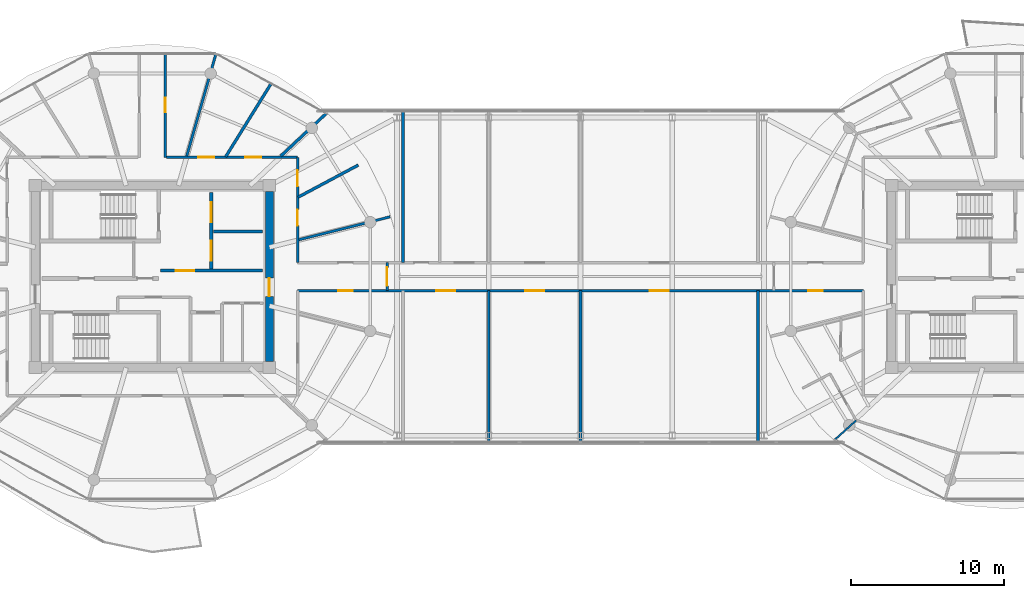
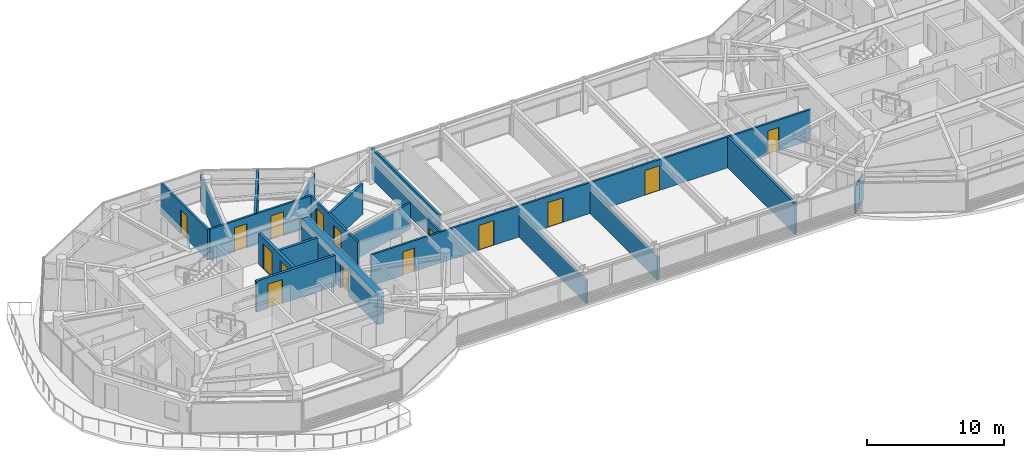
# One storey, part 15 of 23: 19 walls, 15 doors, 15 openings.
"""IFC4 building model written with IfcOpenShell, lengths in metres."""

from ifc_helpers import new_model, si_unit, direction, frame, frame_2d, origin, place, context, subcontext, project, spatial, rectangle, extrude, source, transform, mapped, material, layer, layer_set, type_object, type_shapes, element, fill, save


model = new_model("IFC4")

# Units and contexts
model_context = context("Model", 3, precision=1e-05, world=origin(), true_north=direction((0.0, 1.0)))
body_context = subcontext(model_context, "Body", "Model", "MODEL_VIEW")
ifc_project = project(units=[si_unit("LENGTHUNIT", "METRE"), si_unit("AREAUNIT", "SQUARE_METRE"), si_unit("VOLUMEUNIT", "CUBIC_METRE"), si_unit("PLANEANGLEUNIT", "RADIAN"), si_unit("MASSUNIT", "GRAM", prefix="KILO")], contexts=[model_context])

# Site, building, storey
site_placement = place(None, origin())
site = spatial("IfcSite", under=ifc_project, at=site_placement, CompositionType="ELEMENT")
building_placement = place(site_placement, origin())
building = spatial("IfcBuilding", under=site, at=building_placement, Name="Norrkilde Senior Care Towers", CompositionType="ELEMENT")
storey_placement = place(building_placement, frame((0.0, 0.0, 220.0)))
storey = spatial("IfcBuildingStorey", under=building, at=storey_placement, Name="L68", CompositionType="ELEMENT", Elevation=220.0)

# Wall, opening, door
ifc_material_1 = material(Name="Concrete C50/60", Category="concrete")
ifc_layer_1 = layer(ifc_material_1, 0.52001953125)
ifc_layer_set_1 = layer_set([ifc_layer_1], Name="Concrete C50/60")
wall_type_1 = type_object("IfcWallType", Name="Core Shear Wall Z4 520", PredefinedType="SHEAR", material=ifc_layer_set_1)
shared_shape_1 = source(origin(), body_context, "Body", "SweptSolid", [
    extrude(rectangle(XDim=11.10009765625, YDim=0.52001953125, at=frame_2d((5.550048828125, 0.0))), origin(), (0.0, 0.0, 1.0), 2.760009765625),
])
type_shapes(wall_type_1, [shared_shape_1])
wall_1_placement = place(storey_placement, frame((-20.35009765625, 5.550048828125, 0.0), z_axis=(0.0, 0.0, 1.0), x_axis=(0.0, -1.0, 0.0)))
wall_1 = element("IfcWall", 1, at=wall_1_placement, inside=storey, type_object=wall_type_1, Name="L68 Core W East Shear Wall", PredefinedType="SHEAR", context=body_context, shape_type="MappedRepresentation", body=[
    mapped(shared_shape_1, transform((0.0, 0.0, 0.0), x_axis=(1.0, 0.0, 0.0), y_axis=(0.0, 1.0, 0.0), z_axis=(0.0, 0.0, 1.0), scale=1.0)),
])
opening_1_placement = place(wall_1_placement, frame((5.64990234375, 0.0, 0.0)))
opening_1 = element("IfcOpeningElement", 2, at=opening_1_placement, cuts=wall_1, Name="Opening D-04", PredefinedType="OPENING", context=body_context, shape_type="SweptSolid", body=[
    extrude(rectangle(XDim=1.199951171875, YDim=2.14990234375, at=frame_2d((0.60009765625, 1.074951171875))), frame((0.0, 0.27001953125, 0.0), z_axis=(0.0, -1.0, 0.0), x_axis=(1.0, 0.0, 0.0)), (0.0, 0.0, 1.0), 0.5400390625),
])
ifc_material_2 = material(Name="Galvanised Painted Steel", Category="steel")
door_type_1 = type_object("IfcDoorType", Name="Firefighting Lobby Fire Door 1200x2150", OperationType="NOTDEFINED", PredefinedType="DOOR", material=ifc_material_2)
shared_shape_2 = source(origin(), body_context, "Body", "SweptSolid", [
    extrude(rectangle(XDim=1.199951171875, YDim=2.14990234375, at=frame_2d((0.60009765625, 1.074951171875))), frame((0.0, 0.02490234375, 0.0), z_axis=(0.0, -1.0, 0.0), x_axis=(1.0, 0.0, 0.0)), (0.0, 0.0, 1.0), 0.050048828125),
])
type_shapes(door_type_1, [shared_shape_2])
door_1_placement = place(opening_1_placement, frame((1.199951171875, 0.0, 0.0), z_axis=(0.0, 0.0, 1.0), x_axis=(-1.0, 0.0, 0.0)))
door_1 = element("IfcDoor", 3, at=door_1_placement, inside=storey, type_object=door_type_1, Name="L68 Core W East Portal Door", OperationType="SINGLE_SWING_RIGHT", OverallHeight=2.14990234375, OverallWidth=1.199951171875, PredefinedType="DOOR", context=body_context, shape_type="MappedRepresentation", body=[
    mapped(shared_shape_2, transform((0.0, 0.0, 0.0), x_axis=(1.0, 0.0, 0.0), y_axis=(0.0, 1.0, 0.0), z_axis=(0.0, 0.0, 1.0), scale=1.0)),
])
fill(opening_1, door_1)

# Wall, openings, doors
ifc_material_3 = material(Name="Concrete C45/55", Category="concrete")
ifc_layer_2 = layer(ifc_material_3, 0.239990234375)
ifc_layer_set_2 = layer_set([ifc_layer_2], Name="Concrete C45/55")
wall_type_2 = type_object("IfcWallType", Name="Lift and Plant Rated Enclosure Partition 240", PredefinedType="PARTITIONING", material=ifc_layer_set_2)
shared_shape_3 = source(origin(), body_context, "Body", "SweptSolid", [
    extrude(rectangle(XDim=5.0, YDim=0.239990234375, at=frame_2d((2.5, 0.0))), origin(), (0.0, 0.0, 1.0), 2.7451171875),
])
type_shapes(wall_type_2, [shared_shape_3])
wall_2_placement = place(storey_placement, frame((-24.139892578125, 0.5, 0.0), z_axis=(0.0, 0.0, 1.0), x_axis=(0.0, 1.0, 0.0)))
wall_2 = element("IfcWall", 4, at=wall_2_placement, inside=storey, type_object=wall_type_2, Name="WL-INT-L68-W-FFLE", PredefinedType="PARTITIONING", context=body_context, shape_type="MappedRepresentation", body=[
    mapped(shared_shape_3, transform((0.0, 0.0, 0.0), x_axis=(1.0, 0.0, 0.0), y_axis=(0.0, 1.0, 0.0), z_axis=(0.0, 0.0, 1.0), scale=1.0)),
])
opening_2_placement = place(wall_2_placement, frame((3.050048828125, 0.0, 0.0)))
opening_2 = element("IfcOpeningElement", 5, at=opening_2_placement, cuts=wall_2, Name="Opening LD-02", PredefinedType="OPENING", context=body_context, shape_type="SweptSolid", body=[
    extrude(rectangle(XDim=1.300048828125, YDim=2.199951171875, at=frame_2d((0.64990234375, 1.10009765625))), frame((0.0, 0.1298828125, 0.0), z_axis=(0.0, -1.0, 0.0), x_axis=(1.0, 0.0, 0.0)), (0.0, 0.0, 1.0), 0.260009765625),
])
opening_3_placement = place(wall_2_placement, frame((0.550048828125, 0.0, 0.0)))
opening_3 = element("IfcOpeningElement", 6, at=opening_3_placement, cuts=wall_2, Name="Opening LD-02", PredefinedType="OPENING", context=body_context, shape_type="SweptSolid", body=[
    extrude(rectangle(XDim=1.300048828125, YDim=2.199951171875, at=frame_2d((0.64990234375, 1.10009765625))), frame((0.0, 0.1298828125, 0.0), z_axis=(0.0, -1.0, 0.0), x_axis=(1.0, 0.0, 0.0)), (0.0, 0.0, 1.0), 0.260009765625),
])
ifc_material_4 = material(Name="Stainless Steel", Category="steel")
door_type_2 = type_object("IfcDoorType", Name="Stretcher and FFL Landing Sliding Door 1300x2200", OperationType="NOTDEFINED", PredefinedType="DOOR", material=ifc_material_4)
shared_shape_4 = source(origin(), body_context, "Body", "SweptSolid", [
    extrude(rectangle(XDim=1.300048828125, YDim=2.199951171875, at=frame_2d((0.64990234375, 1.10009765625))), frame((0.0, 0.02490234375, 0.0), z_axis=(0.0, -1.0, 0.0), x_axis=(1.0, 0.0, 0.0)), (0.0, 0.0, 1.0), 0.050048828125),
])
type_shapes(door_type_2, [shared_shape_4])
door_2_placement = place(opening_2_placement, origin())
door_2 = element("IfcDoor", 7, at=door_2_placement, inside=storey, type_object=door_type_2, Name="L68 Firefighting Lift W1 Landing Door", OperationType="SLIDING_TO_LEFT", OverallHeight=2.199951171875, OverallWidth=1.300048828125, PredefinedType="DOOR", context=body_context, shape_type="MappedRepresentation", body=[
    mapped(shared_shape_4, transform((0.0, 0.0, 0.0), x_axis=(1.0, 0.0, 0.0), y_axis=(0.0, 1.0, 0.0), z_axis=(0.0, 0.0, 1.0), scale=1.0)),
])
fill(opening_2, door_2)
door_3_placement = place(opening_3_placement, origin())
door_3 = element("IfcDoor", 8, at=door_3_placement, inside=storey, type_object=door_type_2, Name="L68 Stretcher Lift W1 Landing Door", OperationType="SLIDING_TO_RIGHT", OverallHeight=2.199951171875, OverallWidth=1.300048828125, PredefinedType="DOOR", context=body_context, shape_type="MappedRepresentation", body=[
    mapped(shared_shape_4, transform((0.0, 0.0, 0.0), x_axis=(1.0, 0.0, 0.0), y_axis=(0.0, 1.0, 0.0), z_axis=(0.0, 0.0, 1.0), scale=1.0)),
])
fill(opening_3, door_3)

# Wall
ifc_layer_3 = layer(ifc_material_3, 0.199951171875)
ifc_layer_set_3 = layer_set([ifc_layer_3], Name="Concrete C45/55")
wall_type_3 = type_object("IfcWallType", Name="Shaft Division and Plant Partition 200", PredefinedType="PARTITIONING", material=ifc_layer_set_3)
shared_shape_5 = source(origin(), body_context, "Body", "SweptSolid", [
    extrude(rectangle(XDim=3.199951171875, YDim=0.199951171875, at=frame_2d((1.60009765625, 0.0))), origin(), (0.0, 0.0, 1.0), 2.7451171875),
])
type_shapes(wall_type_3, [shared_shape_5])
wall_3_placement = place(storey_placement, frame((-24.0, 2.949951171875, 0.0), z_axis=(0.0, 0.0, 1.0), x_axis=(1.0, 0.0, 0.0)))
element("IfcWall", 9, at=wall_3_placement, inside=storey, type_object=wall_type_3, Name="WL-INT-L68-W-FFLDIV", PredefinedType="PARTITIONING", context=body_context, shape_type="MappedRepresentation", body=[
    mapped(shared_shape_5, transform((0.0, 0.0, 0.0), x_axis=(1.0, 0.0, 0.0), y_axis=(0.0, 1.0, 0.0), z_axis=(0.0, 0.0, 1.0), scale=1.0)),
])

# Wall, opening, door
ifc_layer_4 = layer(ifc_material_3, 0.2099609375)
ifc_layer_set_4 = layer_set([ifc_layer_4], Name="Concrete C45/55")
wall_type_4 = type_object("IfcWallType", Name="Firefighting Lobby Wall 210", PredefinedType="PARTITIONING", material=ifc_layer_set_4)
shared_shape_6 = source(origin(), body_context, "Body", "SweptSolid", [
    extrude(rectangle(XDim=6.659912109375, YDim=0.2099609375, at=frame_2d((3.330078125, 0.0))), origin(), (0.0, 0.0, 1.0), 2.7451171875),
])
type_shapes(wall_type_4, [shared_shape_6])
wall_4_placement = place(storey_placement, frame((-27.4599609375, 0.389892578125, 0.0), z_axis=(0.0, 0.0, 1.0), x_axis=(1.0, 0.0, 0.0)))
wall_4 = element("IfcWall", 10, at=wall_4_placement, inside=storey, type_object=wall_type_4, Name="WL-INT-L68-W-FFLS", PredefinedType="PARTITIONING", context=body_context, shape_type="MappedRepresentation", body=[
    mapped(shared_shape_6, transform((0.0, 0.0, 0.0), x_axis=(1.0, 0.0, 0.0), y_axis=(0.0, 1.0, 0.0), z_axis=(0.0, 0.0, 1.0), scale=1.0)),
])
opening_4_placement = place(wall_4_placement, frame((1.0, 0.0, 0.0)))
opening_4 = element("IfcOpeningElement", 11, at=opening_4_placement, cuts=wall_4, Name="Opening D-04", PredefinedType="OPENING", context=body_context, shape_type="SweptSolid", body=[
    extrude(rectangle(XDim=1.199951171875, YDim=2.14990234375, at=frame_2d((0.60009765625, 1.074951171875))), frame((0.0, 0.114990234375, 0.0), z_axis=(0.0, -1.0, 0.0), x_axis=(1.0, 0.0, 0.0)), (0.0, 0.0, 1.0), 0.22998046875),
])
door_4_placement = place(opening_4_placement, frame((1.199951171875, 0.0, 0.0), z_axis=(0.0, 0.0, 1.0), x_axis=(-1.0, 0.0, 0.0)))
door_4 = element("IfcDoor", 12, at=door_4_placement, inside=storey, type_object=door_type_1, Name="L68 Firefighting Lobby W Door", OperationType="SINGLE_SWING_LEFT", OverallHeight=2.14990234375, OverallWidth=1.199951171875, PredefinedType="DOOR", context=body_context, shape_type="MappedRepresentation", body=[
    mapped(shared_shape_2, transform((0.0, 0.0, 0.0), x_axis=(1.0, 0.0, 0.0), y_axis=(0.0, 1.0, 0.0), z_axis=(0.0, 0.0, 1.0), scale=1.0)),
])
fill(opening_4, door_4)

# Wall, openings, doors
ifc_material_5 = material(Name="Gypsum Acoustic Board")
ifc_layer_5 = layer(ifc_material_5, 0.1650390625)
ifc_layer_set_5 = layer_set([ifc_layer_5], Name="Gypsum Acoustic Board")
wall_type_5 = type_object("IfcWallType", Name="Corridor Rated Partition 165", PredefinedType="PARTITIONING", material=ifc_layer_set_5)
shared_shape_7 = source(origin(), body_context, "Body", "SweptSolid", [
    extrude(rectangle(XDim=8.580078125, YDim=0.1650390625, at=frame_2d((4.2900390625, 0.0))), origin(), (0.0, 0.0, 1.0), 2.7451171875),
])
wall_5_placement = place(storey_placement, frame((-27.080078125, 7.800048828125, 0.0), z_axis=(0.0, 0.0, 1.0), x_axis=(1.0, 0.0, 0.0)))
wall_5 = element("IfcWall", 13, at=wall_5_placement, inside=storey, type_object=wall_type_5, Name="WL-INT-L68-W-CRW-N-1", PredefinedType="PARTITIONING", context=body_context, shape_type="MappedRepresentation", body=[
    mapped(shared_shape_7, transform((0.0, 0.0, 0.0), x_axis=(1.0, 0.0, 0.0), y_axis=(0.0, 1.0, 0.0), z_axis=(0.0, 0.0, 1.0), scale=1.0)),
])
opening_5_placement = place(wall_5_placement, frame((5.166259765625, 0.0, 0.0)))
opening_5 = element("IfcOpeningElement", 14, at=opening_5_placement, cuts=wall_5, Name="Opening D-06", PredefinedType="OPENING", context=body_context, shape_type="SweptSolid", body=[
    extrude(rectangle(XDim=1.050048828125, YDim=2.14990234375, at=frame_2d((0.52490234375, 1.074951171875))), frame((0.0, 0.092529296875, 0.0), z_axis=(0.0, -1.0, 0.0), x_axis=(1.0, 0.0, 0.0)), (0.0, 0.0, 1.0), 0.18505859375),
])
opening_6_placement = place(wall_5_placement, frame((2.076416015625, 0.0, 0.0)))
opening_6 = element("IfcOpeningElement", 15, at=opening_6_placement, cuts=wall_5, Name="Opening D-06", PredefinedType="OPENING", context=body_context, shape_type="SweptSolid", body=[
    extrude(rectangle(XDim=1.050048828125, YDim=2.14990234375, at=frame_2d((0.52490234375, 1.074951171875))), frame((0.0, 0.092529296875, 0.0), z_axis=(0.0, -1.0, 0.0), x_axis=(1.0, 0.0, 0.0)), (0.0, 0.0, 1.0), 0.18505859375),
])
ifc_material_6 = material(Name="Nordic Ash Timber", Category="wood")
door_type_3 = type_object("IfcDoorType", Name="Apartment Entrance Fire Door 1050x2150", OperationType="NOTDEFINED", PredefinedType="DOOR", material=ifc_material_6)
shared_shape_8 = source(origin(), body_context, "Body", "SweptSolid", [
    extrude(rectangle(XDim=1.050048828125, YDim=2.14990234375, at=frame_2d((0.52490234375, 1.074951171875))), frame((0.0, 0.02490234375, 0.0), z_axis=(0.0, -1.0, 0.0), x_axis=(1.0, 0.0, 0.0)), (0.0, 0.0, 1.0), 0.050048828125),
])
type_shapes(door_type_3, [shared_shape_8])
door_5_placement = place(opening_5_placement, frame((1.050048828125, 0.0, 0.0), z_axis=(0.0, 0.0, 1.0), x_axis=(-1.0, 0.0, 0.0)))
door_5 = element("IfcDoor", 16, at=door_5_placement, inside=storey, type_object=door_type_3, Name="L68 Physiotherapy Clinic 1A Door", OperationType="SINGLE_SWING_RIGHT", OverallHeight=2.14990234375, OverallWidth=1.050048828125, PredefinedType="DOOR", context=body_context, shape_type="MappedRepresentation", body=[
    mapped(shared_shape_8, transform((0.0, 0.0, 0.0), x_axis=(1.0, 0.0, 0.0), y_axis=(0.0, 1.0, 0.0), z_axis=(0.0, 0.0, 1.0), scale=1.0)),
])
fill(opening_5, door_5)
door_6_placement = place(opening_6_placement, frame((1.050048828125, 0.0, 0.0), z_axis=(0.0, 0.0, 1.0), x_axis=(-1.0, 0.0, 0.0)))
door_6 = element("IfcDoor", 17, at=door_6_placement, inside=storey, type_object=door_type_3, Name="L68 Assessment Clinic 1B Door", OperationType="SINGLE_SWING_LEFT", OverallHeight=2.14990234375, OverallWidth=1.050048828125, PredefinedType="DOOR", context=body_context, shape_type="MappedRepresentation", body=[
    mapped(shared_shape_8, transform((0.0, 0.0, 0.0), x_axis=(1.0, 0.0, 0.0), y_axis=(0.0, 1.0, 0.0), z_axis=(0.0, 0.0, 1.0), scale=1.0)),
])
fill(opening_6, door_6)

shared_shape_9 = source(origin(), body_context, "Body", "SweptSolid", [
    extrude(rectangle(XDim=6.880126953125, YDim=0.1650390625, at=frame_2d((3.43994140625, 0.0))), origin(), (0.0, 0.0, 1.0), 2.7451171875),
])
wall_6_placement = place(storey_placement, frame((-18.5, 7.800048828125, 0.0), z_axis=(0.0, 0.0, 1.0), x_axis=(0.0, -1.0, 0.0)))
wall_6 = element("IfcWall", 18, at=wall_6_placement, inside=storey, type_object=wall_type_5, Name="WL-INT-L68-W-CRW-E-0", PredefinedType="PARTITIONING", context=body_context, shape_type="MappedRepresentation", body=[
    mapped(shared_shape_9, transform((0.0, 0.0, 0.0), x_axis=(1.0, 0.0, 0.0), y_axis=(0.0, 1.0, 0.0), z_axis=(0.0, 0.0, 1.0), scale=1.0)),
])
opening_7_placement = place(wall_6_placement, frame((3.4208984375, 0.0, 0.0)))
opening_7 = element("IfcOpeningElement", 19, at=opening_7_placement, cuts=wall_6, Name="Opening D-06", PredefinedType="OPENING", context=body_context, shape_type="SweptSolid", body=[
    extrude(rectangle(XDim=1.050048828125, YDim=2.14990234375, at=frame_2d((0.52490234375, 1.074951171875))), frame((0.0, 0.092529296875, 0.0), z_axis=(0.0, -1.0, 0.0), x_axis=(1.0, 0.0, 0.0)), (0.0, 0.0, 1.0), 0.18505859375),
])
opening_8_placement = place(wall_6_placement, frame((0.856201171875, 0.0, 0.0)))
opening_8 = element("IfcOpeningElement", 20, at=opening_8_placement, cuts=wall_6, Name="Opening D-06", PredefinedType="OPENING", context=body_context, shape_type="SweptSolid", body=[
    extrude(rectangle(XDim=1.050048828125, YDim=2.14990234375, at=frame_2d((0.52490234375, 1.074951171875))), frame((0.0, 0.092529296875, 0.0), z_axis=(0.0, -1.0, 0.0), x_axis=(1.0, 0.0, 0.0)), (0.0, 0.0, 1.0), 0.18505859375),
])
door_7_placement = place(opening_7_placement, frame((1.050048828125, 0.0, 0.0), z_axis=(0.0, 0.0, 1.0), x_axis=(-1.0, 0.0, 0.0)))
door_7 = element("IfcDoor", 21, at=door_7_placement, inside=storey, type_object=door_type_3, Name="L68 Physiotherapy Clinic 0A Door", OperationType="SINGLE_SWING_LEFT", OverallHeight=2.14990234375, OverallWidth=1.050048828125, PredefinedType="DOOR", context=body_context, shape_type="MappedRepresentation", body=[
    mapped(shared_shape_8, transform((0.0, 0.0, 0.0), x_axis=(1.0, 0.0, 0.0), y_axis=(0.0, 1.0, 0.0), z_axis=(0.0, 0.0, 1.0), scale=1.0)),
])
fill(opening_7, door_7)
door_8_placement = place(opening_8_placement, frame((1.050048828125, 0.0, 0.0), z_axis=(0.0, 0.0, 1.0), x_axis=(-1.0, 0.0, 0.0)))
door_8 = element("IfcDoor", 22, at=door_8_placement, inside=storey, type_object=door_type_3, Name="L68 Assessment Clinic 0B Door", OperationType="SINGLE_SWING_RIGHT", OverallHeight=2.14990234375, OverallWidth=1.050048828125, PredefinedType="DOOR", context=body_context, shape_type="MappedRepresentation", body=[
    mapped(shared_shape_8, transform((0.0, 0.0, 0.0), x_axis=(1.0, 0.0, 0.0), y_axis=(0.0, 1.0, 0.0), z_axis=(0.0, 0.0, 1.0), scale=1.0)),
])
fill(opening_8, door_8)

# Walls
shared_shape_10 = source(origin(), body_context, "Body", "SweptSolid", [
    extrude(rectangle(XDim=6.973876953125, YDim=0.1650390625, at=frame_2d((3.48681640625, 0.0))), origin(), (0.0, 0.0, 1.0), 2.344970703125),
])
wall_7_placement = place(storey_placement, frame((-25.748779296875, 7.8798828125, 0.0), z_axis=(0.0, 0.0, 1.0), x_axis=(0.274707256801, 0.961527910703, 0.0)))
element("IfcWall", 23, at=wall_7_placement, inside=storey, type_object=wall_type_5, Name="WL-INT-L68-W-DEM-02-0", PredefinedType="PARTITIONING", context=body_context, shape_type="MappedRepresentation", body=[
    mapped(shared_shape_10, transform((0.0, 0.0, 0.0), x_axis=(1.0, 0.0, 0.0), y_axis=(0.0, 1.0, 0.0), z_axis=(0.0, 0.0, 1.0), scale=1.0)),
])
shared_shape_11 = source(origin(), body_context, "Body", "SweptSolid", [
    extrude(rectangle(XDim=6.1572265625, YDim=0.1650390625, at=frame_2d((3.07861328125, 0.0))), origin(), (0.0, 0.0, 1.0), 2.344970703125),
])
wall_8_placement = place(storey_placement, frame((-18.419921875, 2.407470703125, 0.0), z_axis=(0.0, 0.0, 1.0), x_axis=(0.969840867184, 0.243738984038, 0.0)))
element("IfcWall", 24, at=wall_8_placement, inside=storey, type_object=wall_type_5, Name="WL-INT-L68-W-DEM-00-0", PredefinedType="PARTITIONING", context=body_context, shape_type="MappedRepresentation", body=[
    mapped(shared_shape_11, transform((0.0, 0.0, 0.0), x_axis=(1.0, 0.0, 0.0), y_axis=(0.0, 1.0, 0.0), z_axis=(0.0, 0.0, 1.0), scale=1.0)),
])

# Wall, opening, door
shared_shape_12 = source(origin(), body_context, "Body", "SweptSolid", [
    extrude(rectangle(XDim=6.83544921875, YDim=0.1650390625, at=frame_2d((3.417724609375, 0.0))), origin(), (0.0, 0.0, 1.0), 2.7451171875),
])
wall_9_placement = place(storey_placement, frame((-27.159912109375, 14.635498046875, 0.0), z_axis=(0.0, 0.0, 1.0), x_axis=(0.0, -1.0, 0.0)))
wall_9 = element("IfcWall", 25, at=wall_9_placement, inside=storey, type_object=wall_type_5, Name="WL-INT-L68-W-SPK-N2-0", PredefinedType="PARTITIONING", context=body_context, shape_type="MappedRepresentation", body=[
    mapped(shared_shape_12, transform((0.0, 0.0, 0.0), x_axis=(1.0, 0.0, 0.0), y_axis=(0.0, 1.0, 0.0), z_axis=(0.0, 0.0, 1.0), scale=1.0)),
])
opening_9_placement = place(wall_9_placement, frame((2.942626953125, 0.0, 0.0)))
opening_9 = element("IfcOpeningElement", 26, at=opening_9_placement, cuts=wall_9, Name="Opening D-07", PredefinedType="OPENING", context=body_context, shape_type="SweptSolid", body=[
    extrude(rectangle(XDim=0.949951171875, YDim=2.10009765625, at=frame_2d((0.47509765625, 1.050048828125))), frame((0.0, 0.092529296875, 0.0), z_axis=(0.0, -1.0, 0.0), x_axis=(1.0, 0.0, 0.0)), (0.0, 0.0, 1.0), 0.18505859375),
])
door_type_4 = type_object("IfcDoorType", Name="Internal Suite Bedroom Door 950x2100", OperationType="NOTDEFINED", PredefinedType="DOOR", material=ifc_material_6)
shared_shape_13 = source(origin(), body_context, "Body", "SweptSolid", [
    extrude(rectangle(XDim=0.949951171875, YDim=2.10009765625, at=frame_2d((0.47509765625, 1.050048828125))), frame((0.0, 0.02490234375, 0.0), z_axis=(0.0, -1.0, 0.0), x_axis=(1.0, 0.0, 0.0)), (0.0, 0.0, 1.0), 0.050048828125),
])
type_shapes(door_type_4, [shared_shape_13])
door_9_placement = place(opening_9_placement, frame((0.949951171875, 0.0, 0.0), z_axis=(0.0, 0.0, 1.0), x_axis=(-1.0, 0.0, 0.0)))
door_9 = element("IfcDoor", 27, at=door_9_placement, inside=storey, type_object=door_type_4, Name="L68 Sun Reading Lounge 4 Door", OperationType="SINGLE_SWING_LEFT", OverallHeight=2.10009765625, OverallWidth=0.949951171875, PredefinedType="DOOR", context=body_context, shape_type="MappedRepresentation", body=[
    mapped(shared_shape_13, transform((0.0, 0.0, 0.0), x_axis=(1.0, 0.0, 0.0), y_axis=(0.0, 1.0, 0.0), z_axis=(0.0, 0.0, 1.0), scale=1.0)),
])
fill(opening_9, door_9)

# Walls
ifc_layer_6 = layer(ifc_material_5, 0.18994140625)
ifc_layer_set_6 = layer_set([ifc_layer_6], Name="Gypsum Acoustic Board")
wall_type_6 = type_object("IfcWallType", Name="Unit Demising Acoustic Wall 190", PredefinedType="PARTITIONING", material=ifc_layer_set_6)
shared_shape_14 = source(origin(), body_context, "Body", "SweptSolid", [
    extrude(rectangle(XDim=4.089111328125, YDim=0.18994140625, at=frame_2d((2.04443359375, 0.0))), origin(), (0.0, 0.0, 1.0), 2.344970703125),
])
wall_10_placement = place(storey_placement, frame((-19.59814453125, 7.8798828125, 0.0), z_axis=(0.0, 0.0, 1.0), x_axis=(0.729401273609, 0.684086092577, 0.0)))
element("IfcWall", 28, at=wall_10_placement, inside=storey, type_object=wall_type_6, Name="WL-INT-L68-W-DEM-01-0", PredefinedType="PARTITIONING", context=body_context, shape_type="MappedRepresentation", body=[
    mapped(shared_shape_14, transform((0.0, 0.0, 0.0), x_axis=(1.0, 0.0, 0.0), y_axis=(0.0, 1.0, 0.0), z_axis=(0.0, 0.0, 1.0), scale=1.0)),
])
shared_shape_15 = source(origin(), body_context, "Body", "SweptSolid", [
    extrude(rectangle(XDim=5.65185546875, YDim=0.18994140625, at=frame_2d((2.825927734375, 0.0))), origin(), (0.0, 0.0, 1.0), 2.7451171875),
])
wall_11_placement = place(storey_placement, frame((-23.2060546875, 7.830078125, 0.0), z_axis=(0.0, 0.0, 1.0), x_axis=(0.527566076956, 0.84951399897, 0.0)))
element("IfcWall", 29, at=wall_11_placement, inside=storey, type_object=wall_type_6, Name="WL-INT-L68-W-MID-01", PredefinedType="PARTITIONING", context=body_context, shape_type="MappedRepresentation", body=[
    mapped(shared_shape_15, transform((0.0, 0.0, 0.0), x_axis=(1.0, 0.0, 0.0), y_axis=(0.0, 1.0, 0.0), z_axis=(0.0, 0.0, 1.0), scale=1.0)),
])
shared_shape_16 = source(origin(), body_context, "Body", "SweptSolid", [
    extrude(rectangle(XDim=9.880126953125, YDim=0.18994140625, at=frame_2d((4.93994140625, 0.0))), origin(), (0.0, 0.0, 1.0), 2.044921875),
])
for number, where, z_axis, x_axis, name in (
    (30, (-6.0, -10.800048828125, 0.0), (0.0, 0.0, 1.0), (0.0, 1.0, 0.0), "WL-INT-L68-BR-VS1"),
    (31, (0.0, -10.800048828125, 0.0), (0.0, 0.0, 1.0), (0.0, 1.0, 0.0), "WL-INT-L68-BR-VS2"),
):
    element("IfcWall", number, at=place(storey_placement, frame(where, z_axis=z_axis, x_axis=x_axis)), inside=storey, type_object=wall_type_6, Name=name, PredefinedType="PARTITIONING", context=body_context, shape_type="MappedRepresentation", body=[
        mapped(shared_shape_16, transform((0.0, 0.0, 0.0), x_axis=(1.0, 0.0, 0.0), y_axis=(0.0, 1.0, 0.0), z_axis=(0.0, 0.0, 1.0), scale=1.0)),
    ])

# Wall, opening, door
shared_shape_17 = source(origin(), body_context, "Body", "SweptSolid", [
    extrude(rectangle(XDim=1.83984375, YDim=0.1650390625, at=frame_2d((0.919921875, 0.0))), origin(), (0.0, 0.0, 1.0), 2.7451171875),
])
wall_12_placement = place(storey_placement, frame((-12.64990234375, -0.919921875, 0.0), z_axis=(0.0, 0.0, 1.0), x_axis=(0.0, 1.0, 0.0)))
wall_12 = element("IfcWall", 32, at=wall_12_placement, inside=storey, type_object=wall_type_5, Name="WL-INT-L68-BR-GW", PredefinedType="PARTITIONING", context=body_context, shape_type="MappedRepresentation", body=[
    mapped(shared_shape_17, transform((0.0, 0.0, 0.0), x_axis=(1.0, 0.0, 0.0), y_axis=(0.0, 1.0, 0.0), z_axis=(0.0, 0.0, 1.0), scale=1.0)),
])
opening_10_placement = place(wall_12_placement, frame((0.320068359375, 0.0, 0.0)))
opening_10 = element("IfcOpeningElement", 33, at=opening_10_placement, cuts=wall_12, Name="Opening D-04", PredefinedType="OPENING", context=body_context, shape_type="SweptSolid", body=[
    extrude(rectangle(XDim=1.199951171875, YDim=2.14990234375, at=frame_2d((0.60009765625, 1.074951171875))), frame((0.0, 0.092529296875, 0.0), z_axis=(0.0, -1.0, 0.0), x_axis=(1.0, 0.0, 0.0)), (0.0, 0.0, 1.0), 0.18505859375),
])
door_10_placement = place(opening_10_placement, frame((1.199951171875, 0.0, 0.0), z_axis=(0.0, 0.0, 1.0), x_axis=(-1.0, 0.0, 0.0)))
door_10 = element("IfcDoor", 34, at=door_10_placement, inside=storey, type_object=door_type_1, Name="L68 Sky-Gate Bridge GW Fire Door", OperationType="SINGLE_SWING_LEFT", OverallHeight=2.14990234375, OverallWidth=1.199951171875, PredefinedType="DOOR", context=body_context, shape_type="MappedRepresentation", body=[
    mapped(shared_shape_2, transform((0.0, 0.0, 0.0), x_axis=(1.0, 0.0, 0.0), y_axis=(0.0, 1.0, 0.0), z_axis=(0.0, 0.0, 1.0), scale=1.0)),
])
fill(opening_10, door_10)

# Wall, openings, doors
shared_shape_18 = source(origin(), body_context, "Body", "SweptSolid", [
    extrude(rectangle(XDim=37.0, YDim=0.1650390625, at=frame_2d((18.5, 0.0))), origin(), (0.0, 0.0, 1.0), 2.7451171875),
])
type_shapes(wall_type_5, [shared_shape_7, shared_shape_9, shared_shape_10, shared_shape_11, shared_shape_12, shared_shape_17, shared_shape_18])
wall_13_placement = place(storey_placement, frame((-18.5, -0.919921875, 0.0), z_axis=(0.0, 0.0, 1.0), x_axis=(1.0, 0.0, 0.0)))
wall_13 = element("IfcWall", 35, at=wall_13_placement, inside=storey, type_object=wall_type_5, Name="WL-INT-L68-BR-CS", PredefinedType="PARTITIONING", context=body_context, shape_type="MappedRepresentation", body=[
    mapped(shared_shape_18, transform((0.0, 0.0, 0.0), x_axis=(1.0, 0.0, 0.0), y_axis=(0.0, 1.0, 0.0), z_axis=(0.0, 0.0, 1.0), scale=1.0)),
])
opening_11_placement = place(wall_13_placement, frame((2.66162109375, 0.0, 0.0)))
opening_11 = element("IfcOpeningElement", 36, at=opening_11_placement, cuts=wall_13, Name="Opening D-07", PredefinedType="OPENING", context=body_context, shape_type="SweptSolid", body=[
    extrude(rectangle(XDim=0.949951171875, YDim=2.10009765625, at=frame_2d((0.47509765625, 1.050048828125))), frame((0.0, 0.092529296875, 0.0), z_axis=(0.0, -1.0, 0.0), x_axis=(1.0, 0.0, 0.0)), (0.0, 0.0, 1.0), 0.18505859375),
])
opening_12_placement = place(wall_13_placement, frame((33.38818359375, 0.0, 0.0)))
opening_12 = element("IfcOpeningElement", 37, at=opening_12_placement, cuts=wall_13, Name="Opening D-07", PredefinedType="OPENING", context=body_context, shape_type="SweptSolid", body=[
    extrude(rectangle(XDim=0.949951171875, YDim=2.10009765625, at=frame_2d((0.47509765625, 1.050048828125))), frame((0.0, 0.092529296875, 0.0), z_axis=(0.0, -1.0, 0.0), x_axis=(1.0, 0.0, 0.0)), (0.0, 0.0, 1.0), 0.18505859375),
])
opening_13_placement = place(wall_13_placement, frame((9.074951171875, 0.0, 0.0)))
opening_13 = element("IfcOpeningElement", 38, at=opening_13_placement, cuts=wall_13, Name="Opening D-05", PredefinedType="OPENING", context=body_context, shape_type="SweptSolid", body=[
    extrude(rectangle(XDim=1.25, YDim=2.199951171875, at=frame_2d((0.625, 1.10009765625))), frame((0.0, 0.092529296875, 0.0), z_axis=(0.0, -1.0, 0.0), x_axis=(1.0, 0.0, 0.0)), (0.0, 0.0, 1.0), 0.18505859375),
])
opening_14_placement = place(wall_13_placement, frame((14.875, 0.0, 0.0)))
opening_14 = element("IfcOpeningElement", 39, at=opening_14_placement, cuts=wall_13, Name="Opening D-05", PredefinedType="OPENING", context=body_context, shape_type="SweptSolid", body=[
    extrude(rectangle(XDim=1.25, YDim=2.199951171875, at=frame_2d((0.625, 1.10009765625))), frame((0.0, 0.092529296875, 0.0), z_axis=(0.0, -1.0, 0.0), x_axis=(1.0, 0.0, 0.0)), (0.0, 0.0, 1.0), 0.18505859375),
])
opening_15_placement = place(wall_13_placement, frame((23.030029296875, 0.0, 0.0)))
opening_15 = element("IfcOpeningElement", 40, at=opening_15_placement, cuts=wall_13, Name="Opening D-05", PredefinedType="OPENING", context=body_context, shape_type="SweptSolid", body=[
    extrude(rectangle(XDim=1.25, YDim=2.199951171875, at=frame_2d((0.625, 1.10009765625))), frame((0.0, 0.092529296875, 0.0), z_axis=(0.0, -1.0, 0.0), x_axis=(1.0, 0.0, 0.0)), (0.0, 0.0, 1.0), 0.18505859375),
])
door_type_5 = type_object("IfcDoorType", Name="Care Bedroom Bariatric Door 1250x2200", OperationType="NOTDEFINED", PredefinedType="DOOR", material=ifc_material_6)
shared_shape_19 = source(origin(), body_context, "Body", "SweptSolid", [
    extrude(rectangle(XDim=1.25, YDim=2.199951171875, at=frame_2d((0.625, 1.10009765625))), frame((0.0, 0.02490234375, 0.0), z_axis=(0.0, -1.0, 0.0), x_axis=(1.0, 0.0, 0.0)), (0.0, 0.0, 1.0), 0.050048828125),
])
type_shapes(door_type_5, [shared_shape_19])
door_11_placement = place(opening_13_placement, origin())
door_11 = element("IfcDoor", 41, at=door_11_placement, inside=storey, type_object=door_type_5, Name="L68 Bridge South Room 1 Door", OperationType="SINGLE_SWING_LEFT", OverallHeight=2.199951171875, OverallWidth=1.25, PredefinedType="DOOR", context=body_context, shape_type="MappedRepresentation", body=[
    mapped(shared_shape_19, transform((0.0, 0.0, 0.0), x_axis=(1.0, 0.0, 0.0), y_axis=(0.0, 1.0, 0.0), z_axis=(0.0, 0.0, 1.0), scale=1.0)),
])
fill(opening_13, door_11)
door_12_placement = place(opening_14_placement, origin())
door_12 = element("IfcDoor", 42, at=door_12_placement, inside=storey, type_object=door_type_5, Name="L68 Bridge South Room 2 Door", OperationType="SINGLE_SWING_RIGHT", OverallHeight=2.199951171875, OverallWidth=1.25, PredefinedType="DOOR", context=body_context, shape_type="MappedRepresentation", body=[
    mapped(shared_shape_19, transform((0.0, 0.0, 0.0), x_axis=(1.0, 0.0, 0.0), y_axis=(0.0, 1.0, 0.0), z_axis=(0.0, 0.0, 1.0), scale=1.0)),
])
fill(opening_14, door_12)
door_13_placement = place(opening_15_placement, origin())
door_13 = element("IfcDoor", 43, at=door_13_placement, inside=storey, type_object=door_type_5, Name="L68 Bridge South Room 3 Door", OperationType="SINGLE_SWING_LEFT", OverallHeight=2.199951171875, OverallWidth=1.25, PredefinedType="DOOR", context=body_context, shape_type="MappedRepresentation", body=[
    mapped(shared_shape_19, transform((0.0, 0.0, 0.0), x_axis=(1.0, 0.0, 0.0), y_axis=(0.0, 1.0, 0.0), z_axis=(0.0, 0.0, 1.0), scale=1.0)),
])
fill(opening_15, door_13)
door_14_placement = place(opening_11_placement, frame((0.949951171875, 0.0, 0.0), z_axis=(0.0, 0.0, 1.0), x_axis=(-1.0, 0.0, 0.0)))
door_14 = element("IfcDoor", 44, at=door_14_placement, inside=storey, type_object=door_type_4, Name="L68 Sun Reading Lounge 5 Door", OperationType="SINGLE_SWING_RIGHT", OverallHeight=2.10009765625, OverallWidth=0.949951171875, PredefinedType="DOOR", context=body_context, shape_type="MappedRepresentation", body=[
    mapped(shared_shape_13, transform((0.0, 0.0, 0.0), x_axis=(1.0, 0.0, 0.0), y_axis=(0.0, 1.0, 0.0), z_axis=(0.0, 0.0, 1.0), scale=1.0)),
])
fill(opening_11, door_14)
door_15_placement = place(opening_12_placement, frame((0.949951171875, 0.0, 0.0), z_axis=(0.0, 0.0, 1.0), x_axis=(-1.0, 0.0, 0.0)))
door_15 = element("IfcDoor", 45, at=door_15_placement, inside=storey, type_object=door_type_4, Name="L68 Sun Reading Lounge 1 Door", OperationType="SINGLE_SWING_RIGHT", OverallHeight=2.10009765625, OverallWidth=0.949951171875, PredefinedType="DOOR", context=body_context, shape_type="MappedRepresentation", body=[
    mapped(shared_shape_13, transform((0.0, 0.0, 0.0), x_axis=(1.0, 0.0, 0.0), y_axis=(0.0, 1.0, 0.0), z_axis=(0.0, 0.0, 1.0), scale=1.0)),
])
fill(opening_12, door_15)

# Walls
shared_shape_20 = source(origin(), body_context, "Body", "SweptSolid", [
    extrude(rectangle(XDim=9.880126953125, YDim=0.18994140625, at=frame_2d((4.93994140625, 0.0))), origin(), (0.0, 0.0, 1.0), 2.7451171875),
])
for number, where, z_axis, x_axis, name in (
    (46, (-11.60009765625, 0.919921875, 0.0), (0.0, 0.0, 1.0), (0.0, 1.0, 0.0), "WL-INT-L68-BR-EN-12"),
    (47, (11.60009765625, -10.800048828125, 0.0), (0.0, 0.0, 1.0), (0.0, 1.0, 0.0), "WL-INT-L68-BR-ES+12"),
):
    element("IfcWall", number, at=place(storey_placement, frame(where, z_axis=z_axis, x_axis=x_axis)), inside=storey, type_object=wall_type_6, Name=name, PredefinedType="PARTITIONING", context=body_context, shape_type="MappedRepresentation", body=[
        mapped(shared_shape_20, transform((0.0, 0.0, 0.0), x_axis=(1.0, 0.0, 0.0), y_axis=(0.0, 1.0, 0.0), z_axis=(0.0, 0.0, 1.0), scale=1.0)),
    ])
shared_shape_21 = source(origin(), body_context, "Body", "SweptSolid", [
    extrude(rectangle(XDim=4.46484375, YDim=0.18994140625, at=frame_2d((2.232421875, 0.0))), origin(), (0.0, 0.0, 1.0), 2.7451171875),
])
type_shapes(wall_type_6, [shared_shape_14, shared_shape_15, shared_shape_16, shared_shape_20, shared_shape_21])
wall_14_placement = place(storey_placement, frame((-18.469970703125, 5.1884765625, 0.0), z_axis=(0.0, 0.0, 1.0), x_axis=(0.881981829834, 0.471283409259, 0.0)))
element("IfcWall", 48, at=wall_14_placement, inside=storey, type_object=wall_type_6, Name="WL-INT-L68-W-MID-00", PredefinedType="PARTITIONING", context=body_context, shape_type="MappedRepresentation", body=[
    mapped(shared_shape_21, transform((0.0, 0.0, 0.0), x_axis=(1.0, 0.0, 0.0), y_axis=(0.0, 1.0, 0.0), z_axis=(0.0, 0.0, 1.0), scale=1.0)),
])
ifc_layer_7 = layer(ifc_material_5, 0.114990234375)
ifc_layer_set_7 = layer_set([ifc_layer_7], Name="Gypsum Acoustic Board")
wall_type_7 = type_object("IfcWallType", Name="Internal Room Partition 115", PredefinedType="PARTITIONING", material=ifc_layer_set_7)
shared_shape_22 = source(origin(), body_context, "Body", "SweptSolid", [
    extrude(rectangle(XDim=1.905029296875, YDim=0.114990234375, at=frame_2d((0.95263671875, 0.0))), origin(), (0.0, 0.0, 1.0), 2.344970703125),
])
type_shapes(wall_type_7, [shared_shape_22])
wall_15_placement = place(storey_placement, frame((18.0302734375, -9.4013671875, 0.0), z_axis=(0.0, 0.0, 1.0), x_axis=(-0.742624708137, -0.669707804094, 0.0)))
element("IfcWall", 49, at=wall_15_placement, inside=storey, type_object=wall_type_7, Name="WL-INT-L68-E-UBR-06-1", PredefinedType="PARTITIONING", context=body_context, shape_type="MappedRepresentation", body=[
    mapped(shared_shape_22, transform((0.0, 0.0, 0.0), x_axis=(1.0, 0.0, 0.0), y_axis=(0.0, 1.0, 0.0), z_axis=(0.0, 0.0, 1.0), scale=1.0)),
])

save(model, "model.ifc")
